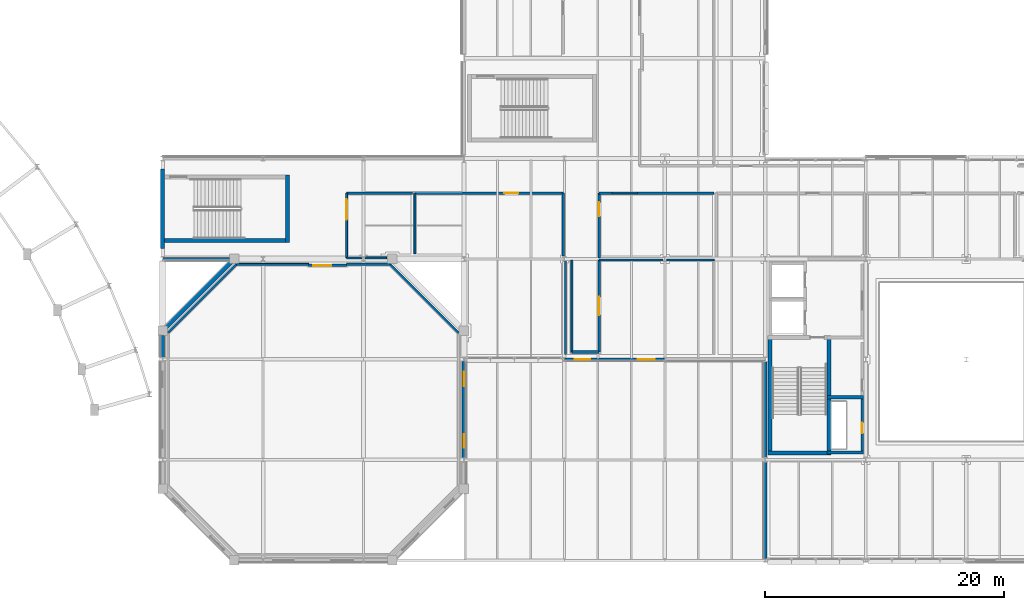
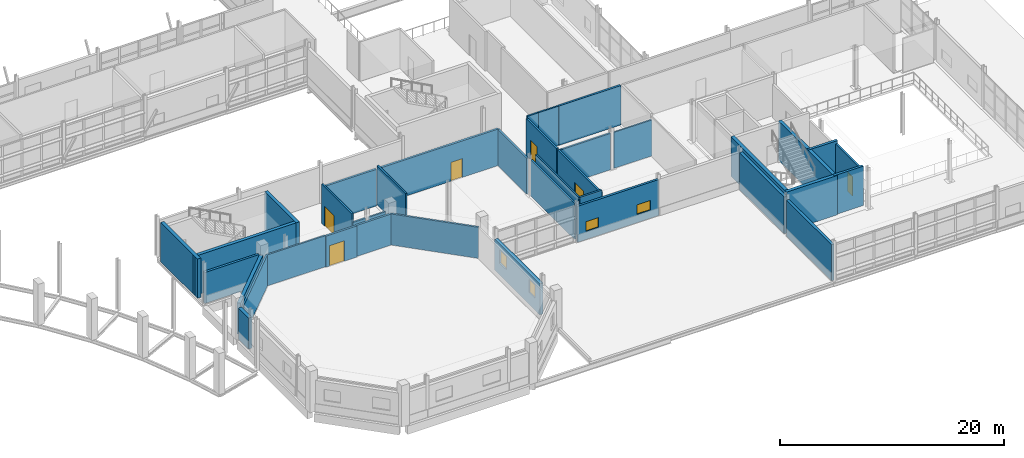
# One storey, part 94 of 129: 38 walls, 6 doors, 4 windows, 10 openings.
"""IFC4 building model written with IfcOpenShell, lengths in metres."""

from ifc_helpers import new_model, si_unit, direction, frame, frame_2d, origin, place, context, subcontext, project, spatial, rectangle, extrude, material, layer, layer_set, type_object, element, fill, save


model = new_model("IFC4")

# Units and contexts
model_context = context("Model", 3, precision=1e-05, world=origin(), true_north=direction((0.0, 1.0)))
body_context = subcontext(model_context, "Body", "Model", "MODEL_VIEW")
ifc_project = project(units=[si_unit("LENGTHUNIT", "METRE"), si_unit("AREAUNIT", "SQUARE_METRE"), si_unit("VOLUMEUNIT", "CUBIC_METRE"), si_unit("PLANEANGLEUNIT", "RADIAN"), si_unit("MASSUNIT", "GRAM", prefix="KILO")], contexts=[model_context])

# Site, building, storey
site_placement = place(None, origin())
site = spatial("IfcSite", under=ifc_project, at=site_placement, CompositionType="ELEMENT")
building_placement = place(site_placement, origin())
building = spatial("IfcBuilding", under=site, at=building_placement, Name="Mersafa Astral City Hall", CompositionType="ELEMENT")
storey_placement = place(building_placement, frame((0.0, 0.0, 5.39990234375)))
storey = spatial("IfcBuildingStorey", under=building, at=storey_placement, Name="L01", CompositionType="ELEMENT", Elevation=5.39990234375)

# Walls
ifc_material_1 = material(Name="Concrete C40/50", Category="concrete")
ifc_layer_1 = layer(ifc_material_1, 0.340087890625, Name="Concrete C40/50")
ifc_layer_set_1 = layer_set([ifc_layer_1], Name="Concrete C40/50 — ENV-WAL-DRUM-340")
wall_type_1 = type_object("IfcWallType", Name="ENV-WAL-DRUM-340", PredefinedType="SHEAR", material=ifc_layer_set_1)
wall_1_placement = place(storey_placement, frame((72.9453125, 24.9453125, 0.0), z_axis=(0.0, 0.0, 1.0), x_axis=(-0.707106781187, -0.707106781187, 0.0)))
element("IfcWall", 1, at=wall_1_placement, inside=storey, type_object=wall_type_1, Name="L01 Limestone-clad exterior wall 72", PredefinedType="SHEAR", context=body_context, shape_type="SweptSolid", body=[
    extrude(rectangle(XDim=7.76513671875, YDim=0.340087890625, at=frame_2d((3.882568359375, 0.0))), origin(), (0.0, 0.0, 1.0), 3.382080078125),
])
wall_2_placement = place(storey_placement, frame((67.199951171875, 18.80810546875, 0.0), z_axis=(0.0, 0.0, 1.0), x_axis=(0.0, -1.0, 0.0)))
element("IfcWall", 2, at=wall_2_placement, inside=storey, type_object=wall_type_1, Name="L01 Limestone-clad exterior wall 73", PredefinedType="SHEAR", context=body_context, shape_type="SweptSolid", body=[
    extrude(rectangle(XDim=1.83203125, YDim=0.340087890625, at=frame_2d((0.916015625, 0.0))), origin(), (0.0, 0.0, 1.0), 3.382080078125),
])

# Wall, openings, windows
wall_3_placement = place(storey_placement, frame((92.39990234375, 8.575927734375, 0.0), z_axis=(0.0, 0.0, 1.0), x_axis=(0.0, 1.0, 0.0)))
wall_3 = element("IfcWall", 3, at=wall_3_placement, inside=storey, type_object=wall_type_1, Name="L01 Limestone-clad exterior wall 82", PredefinedType="SHEAR", context=body_context, shape_type="SweptSolid", body=[
    extrude(rectangle(XDim=8.05810546875, YDim=0.340087890625, at=frame_2d((4.029052734375, 0.0))), origin(), (0.0, 0.0, 1.0), 3.382080078125),
])
opening_1_placement = place(wall_3_placement, frame((0.85009765625, 0.0, 1.300048828125)))
opening_1 = element("IfcOpeningElement", 4, at=opening_1_placement, cuts=wall_3, Name="Opening W-22", PredefinedType="OPENING", context=body_context, shape_type="SweptSolid", body=[
    extrude(rectangle(XDim=1.1201171875, YDim=1.449951171875, at=frame_2d((0.56005859375, 0.72509765625))), frame((0.0, 0.179931640625, 0.0), z_axis=(0.0, -1.0, 0.0), x_axis=(1.0, 0.0, 0.0)), (0.0, 0.0, 1.0), 0.360107421875),
])
opening_2_placement = place(wall_3_placement, frame((5.988037109375, 0.0, 1.300048828125)))
opening_2 = element("IfcOpeningElement", 5, at=opening_2_placement, cuts=wall_3, Name="Opening W-23", PredefinedType="OPENING", context=body_context, shape_type="SweptSolid", body=[
    extrude(rectangle(XDim=1.219970703125, YDim=1.449951171875, at=frame_2d((0.60986328125, 0.72509765625))), frame((0.0, 0.179931640625, 0.0), z_axis=(0.0, -1.0, 0.0), x_axis=(1.0, 0.0, 0.0)), (0.0, 0.0, 1.0), 0.360107421875),
])
ifc_material_2 = material(Name="Solar control low-e double glazing in bronze frame", Category="glass")
window_type_1 = type_object("IfcWindowType", Name="ENV-WIN-W-22", PartitioningType="SINGLE_PANEL", PredefinedType="WINDOW", material=ifc_material_2)
window_1_placement = place(opening_1_placement, origin())
window_1 = element("IfcWindow", 6, at=window_1_placement, inside=storey, type_object=window_type_1, Name="L01 Solar punched window 82-L", OverallHeight=1.449951171875, OverallWidth=1.1201171875, PartitioningType="SINGLE_PANEL", PredefinedType="WINDOW", context=body_context, shape_type="SweptSolid", body=[
    extrude(rectangle(XDim=1.1201171875, YDim=1.449951171875, at=frame_2d((0.56005859375, 0.72509765625))), frame((0.0, 0.030029296875, 0.0), z_axis=(0.0, -1.0, 0.0), x_axis=(1.0, 0.0, 0.0)), (0.0, 0.0, 1.0), 0.06005859375),
])
fill(opening_1, window_1)
window_type_2 = type_object("IfcWindowType", Name="ENV-WIN-W-23", PartitioningType="SINGLE_PANEL", PredefinedType="WINDOW", material=ifc_material_2)
window_2_placement = place(opening_2_placement, origin())
window_2 = element("IfcWindow", 7, at=window_2_placement, inside=storey, type_object=window_type_2, Name="L01 Solar punched window 82-R", OverallHeight=1.449951171875, OverallWidth=1.219970703125, PartitioningType="SINGLE_PANEL", PredefinedType="WINDOW", context=body_context, shape_type="SweptSolid", body=[
    extrude(rectangle(XDim=1.219970703125, YDim=1.449951171875, at=frame_2d((0.60986328125, 0.72509765625))), frame((0.0, 0.030029296875, 0.0), z_axis=(0.0, -1.0, 0.0), x_axis=(1.0, 0.0, 0.0)), (0.0, 0.0, 1.0), 0.06005859375),
])
fill(opening_2, window_2)

# Wall
ifc_material_3 = material(Name="Precast concrete C40/50 insulated terracotta spandrel", Category="masonry")
ifc_layer_2 = layer(ifc_material_3, 0.235107421875, Name="Precast concrete C40/50 insulated terracotta spandrel")
ifc_layer_set_2 = layer_set([ifc_layer_2], Name="Precast concrete C40/50 insulated terracotta spandrel — ENV-WAL-EXT-235")
wall_type_2 = type_object("IfcWallType", Name="ENV-WAL-EXT-235", PredefinedType="STANDARD", material=ifc_layer_set_2)
wall_4_placement = place(storey_placement, frame((67.2080078125, 25.199951171875, 0.0), z_axis=(0.0, 0.0, 1.0), x_axis=(1.0, 0.0, 0.0)))
element("IfcWall", 8, at=wall_4_placement, inside=storey, type_object=wall_type_2, Name="L01 Limestone-clad exterior wall 71", PredefinedType="STANDARD", context=body_context, shape_type="SweptSolid", body=[
    extrude(rectangle(XDim=5.60009765625, YDim=0.235107421875, at=frame_2d((2.800048828125, 0.0))), origin(), (0.0, 0.0, 1.0), 3.382080078125),
])

# Wall, openings, windows
wall_5_placement = place(storey_placement, frame((100.80810546875, 16.800048828125, 0.0), z_axis=(0.0, 0.0, 1.0), x_axis=(1.0, 0.0, 0.0)))
wall_5 = element("IfcWall", 9, at=wall_5_placement, inside=storey, type_object=wall_type_2, Name="L01 Limestone-clad exterior wall 83", PredefinedType="STANDARD", context=body_context, shape_type="SweptSolid", body=[
    extrude(rectangle(XDim=8.3837890625, YDim=0.235107421875, at=frame_2d((4.19189453125, 0.0))), origin(), (0.0, 0.0, 1.0), 3.922119140625),
])
opening_3_placement = place(wall_5_placement, frame((0.85009765625, 0.0, 0.89990234375)))
opening_3 = element("IfcOpeningElement", 10, at=opening_3_placement, cuts=wall_5, Name="Opening W-04", PredefinedType="OPENING", context=body_context, shape_type="SweptSolid", body=[
    extrude(rectangle(XDim=1.320068359375, YDim=1.050048828125, at=frame_2d((0.66015625, 0.52490234375))), frame((0.0, 0.12744140625, 0.0), z_axis=(0.0, -1.0, 0.0), x_axis=(1.0, 0.0, 0.0)), (0.0, 0.0, 1.0), 0.255126953125),
])
opening_4_placement = place(wall_5_placement, frame((6.114013671875, 0.0, 0.89990234375)))
opening_4 = element("IfcOpeningElement", 11, at=opening_4_placement, cuts=wall_5, Name="Opening W-05", PredefinedType="OPENING", context=body_context, shape_type="SweptSolid", body=[
    extrude(rectangle(XDim=1.419921875, YDim=1.050048828125, at=frame_2d((0.7099609375, 0.52490234375))), frame((0.0, 0.12744140625, 0.0), z_axis=(0.0, -1.0, 0.0), x_axis=(1.0, 0.0, 0.0)), (0.0, 0.0, 1.0), 0.255126953125),
])
window_type_3 = type_object("IfcWindowType", Name="ENV-WIN-W-04", PartitioningType="SINGLE_PANEL", PredefinedType="WINDOW", material=ifc_material_2)
window_3_placement = place(opening_3_placement, origin())
window_3 = element("IfcWindow", 12, at=window_3_placement, inside=storey, type_object=window_type_3, Name="L01 Solar punched window 83-L", OverallHeight=1.050048828125, OverallWidth=1.320068359375, PartitioningType="SINGLE_PANEL", PredefinedType="WINDOW", context=body_context, shape_type="SweptSolid", body=[
    extrude(rectangle(XDim=1.320068359375, YDim=1.050048828125, at=frame_2d((0.66015625, 0.52490234375))), frame((0.0, 0.030029296875, 0.0), z_axis=(0.0, -1.0, 0.0), x_axis=(1.0, 0.0, 0.0)), (0.0, 0.0, 1.0), 0.06005859375),
])
fill(opening_3, window_3)
window_type_4 = type_object("IfcWindowType", Name="ENV-WIN-W-05", PartitioningType="SINGLE_PANEL", PredefinedType="WINDOW", material=ifc_material_2)
window_4_placement = place(opening_4_placement, origin())
window_4 = element("IfcWindow", 13, at=window_4_placement, inside=storey, type_object=window_type_4, Name="L01 Solar punched window 83-R", OverallHeight=1.050048828125, OverallWidth=1.419921875, PartitioningType="SINGLE_PANEL", PredefinedType="WINDOW", context=body_context, shape_type="SweptSolid", body=[
    extrude(rectangle(XDim=1.419921875, YDim=1.050048828125, at=frame_2d((0.7099609375, 0.52490234375))), frame((0.0, 0.030029296875, 0.0), z_axis=(0.0, -1.0, 0.0), x_axis=(1.0, 0.0, 0.0)), (0.0, 0.0, 1.0), 0.06005859375),
])
fill(opening_4, window_4)

# Walls
ifc_material_4 = material(Name="Precast concrete C40/50 insulated limestone wall", Category="masonry")
ifc_layer_3 = layer(ifc_material_4, 0.280029296875, Name="Precast concrete C40/50 insulated limestone wall")
ifc_layer_set_3 = layer_set([ifc_layer_3], Name="Precast concrete C40/50 insulated limestone wall — ENV-WAL-EXT-280")
wall_type_3 = type_object("IfcWallType", Name="ENV-WAL-EXT-280", PredefinedType="STANDARD", material=ifc_layer_set_3)
wall_6_placement = place(storey_placement, frame((117.60009765625, 8.2041015625, 0.0), z_axis=(0.0, 0.0, 1.0), x_axis=(0.0, -1.0, 0.0)))
element("IfcWall", 14, at=wall_6_placement, inside=storey, type_object=wall_type_3, Name="L01 Limestone-clad exterior wall 86", PredefinedType="STANDARD", context=body_context, shape_type="SweptSolid", body=[
    extrude(rectangle(XDim=8.05810546875, YDim=0.280029296875, at=frame_2d((4.029052734375, 0.0))), origin(), (0.0, 0.0, 1.0), 3.922119140625),
])
ifc_layer_4 = layer(ifc_material_4, 0.294921875, Name="Precast concrete C40/50 insulated limestone wall")
ifc_layer_set_4 = layer_set([ifc_layer_4], Name="Precast concrete C40/50 insulated limestone wall — ENV-WAL-EXT-295")
wall_type_4 = type_object("IfcWallType", Name="ENV-WAL-EXT-295", PredefinedType="STANDARD", material=ifc_layer_set_4)
wall_7_placement = place(storey_placement, frame((117.60009765625, 16.60400390625, 0.0), z_axis=(0.0, 0.0, 1.0), x_axis=(0.0, -1.0, 0.0)))
element("IfcWall", 15, at=wall_7_placement, inside=storey, type_object=wall_type_4, Name="L01 Limestone-clad exterior wall 85", PredefinedType="STANDARD", context=body_context, shape_type="SweptSolid", body=[
    extrude(rectangle(XDim=8.008056640625, YDim=0.294921875, at=frame_2d((4.00390625, 0.0))), origin(), (0.0, 0.0, 1.0), 4.01220703125),
])
ifc_layer_5 = layer(ifc_material_1, 0.260009765625, Name="Concrete C40/50")
ifc_layer_set_5 = layer_set([ifc_layer_5], Name="Concrete C40/50 — INT-WAL-CORE-260")
wall_type_5 = type_object("IfcWallType", Name="INT-WAL-CORE-260", PredefinedType="SHEAR", material=ifc_layer_set_5)
for number, where, z_axis, x_axis, name in (
    (16, (122.764892578125, 9.02001953125, 0.0), (0.0, 0.0, 1.0), (1.0, 0.0, 0.0), "L01 Core K5 riser south wall"),
    (17, (122.764892578125, 13.635009765625, 0.0), (0.0, 0.0, 1.0), (1.0, 0.0, 0.0), "L01 Core K5 riser-restroom divider wall"),
):
    element("IfcWall", number, at=place(storey_placement, frame(where, z_axis=z_axis, x_axis=x_axis)), inside=storey, type_object=wall_type_5, Name=name, PredefinedType="SHEAR", context=body_context, shape_type="SweptSolid", body=[
        extrude(rectangle(XDim=3.03515625, YDim=0.260009765625, at=frame_2d((1.517578125, 0.0))), origin(), (0.0, 0.0, 1.0), 4.2900390625),
    ])
ifc_layer_6 = layer(ifc_material_1, 0.340087890625, Name="Concrete C40/50")
ifc_layer_set_6 = layer_set([ifc_layer_6], Name="Concrete C40/50 — INT-WAL-CORE-340")
wall_type_6 = type_object("IfcWallType", Name="INT-WAL-CORE-340", PredefinedType="SHEAR", material=ifc_layer_set_6)
for number, where, z_axis, x_axis, name in (
    (18, (118.0048828125, 8.804931640625, 0.0), (0.0, 0.0, 1.0), (0.0, 1.0, 0.0), "L01 Core K5 stair west shear wall"),
    (19, (122.9150390625, 8.804931640625, 0.0), (0.0, 0.0, 1.0), (0.0, 1.0, 0.0), "L01 Core K5 stair east shear wall"),
):
    element("IfcWall", number, at=place(storey_placement, frame(where, z_axis=z_axis, x_axis=x_axis)), inside=storey, type_object=wall_type_6, Name=name, PredefinedType="SHEAR", context=body_context, shape_type="SweptSolid", body=[
        extrude(rectangle(XDim=9.989990234375, YDim=0.340087890625, at=frame_2d((4.9951171875, 0.0))), origin(), (0.0, 0.0, 1.0), 4.2900390625),
    ])
wall_8_placement = place(storey_placement, frame((117.8349609375, 8.97509765625, 0.0), z_axis=(0.0, 0.0, 1.0), x_axis=(1.0, 0.0, 0.0)))
element("IfcWall", 20, at=wall_8_placement, inside=storey, type_object=wall_type_6, Name="L01 Core K5 stair south shear wall", PredefinedType="SHEAR", context=body_context, shape_type="SweptSolid", body=[
    extrude(rectangle(XDim=5.25, YDim=0.340087890625, at=frame_2d((2.625, 0.0))), origin(), (0.0, 0.0, 1.0), 4.2900390625),
])
wall_9_placement = place(storey_placement, frame((67.034912109375, 26.7451171875, 0.0), z_axis=(0.0, 0.0, 1.0), x_axis=(1.0, 0.0, 0.0)))
element("IfcWall", 21, at=wall_9_placement, inside=storey, type_object=wall_type_6, Name="L01 Assembly stair K7 south wall", PredefinedType="SHEAR", context=body_context, shape_type="SweptSolid", body=[
    extrude(rectangle(XDim=10.7900390625, YDim=0.340087890625, at=frame_2d((5.39501953125, 0.0))), origin(), (0.0, 0.0, 1.0), 4.2900390625),
])
wall_10_placement = place(storey_placement, frame((67.205078125, 26.094970703125, 0.0), z_axis=(0.0, 0.0, 1.0), x_axis=(0.0, 1.0, 0.0)))
element("IfcWall", 22, at=wall_10_placement, inside=storey, type_object=wall_type_6, Name="L01 Assembly stair K7 west wall", PredefinedType="SHEAR", context=body_context, shape_type="SweptSolid", body=[
    extrude(rectangle(XDim=6.610107421875, YDim=0.340087890625, at=frame_2d((3.30517578125, 0.0))), origin(), (0.0, 0.0, 1.0), 4.2900390625),
])
wall_11_placement = place(storey_placement, frame((77.655029296875, 26.574951171875, 0.0), z_axis=(0.0, 0.0, 1.0), x_axis=(0.0, 1.0, 0.0)))
element("IfcWall", 23, at=wall_11_placement, inside=storey, type_object=wall_type_6, Name="L01 Assembly stair K7 east wall", PredefinedType="SHEAR", context=body_context, shape_type="SweptSolid", body=[
    extrude(rectangle(XDim=5.650146484375, YDim=0.340087890625, at=frame_2d((2.8251953125, 0.0))), origin(), (0.0, 0.0, 1.0), 4.2900390625),
])
ifc_material_5 = material(Name="Acoustic steel-stud gypsum partition", Category="steel")
ifc_layer_7 = layer(ifc_material_5, 0.14990234375, Name="Acoustic steel-stud gypsum partition")
ifc_layer_set_7 = layer_set([ifc_layer_7], Name="Acoustic steel-stud gypsum partition — INT-WAL-PART-EI30-150")
wall_type_7 = type_object("IfcWallType", Name="INT-WAL-PART-EI30-150", PredefinedType="STANDARD", material=ifc_layer_set_7)
wall_12_placement = place(storey_placement, frame((109.3740234375, 25.110107421875, -0.00390625), z_axis=(0.0, 0.0, 1.0), x_axis=(1.0, 0.0, 0.0)))
element("IfcWall", 24, at=wall_12_placement, inside=storey, type_object=wall_type_7, Name="L01 Interior partition wall 327", PredefinedType="STANDARD", context=body_context, shape_type="SweptSolid", body=[
    extrude(rectangle(XDim=3.93603515625, YDim=0.14990234375, at=frame_2d((1.968017578125, 0.0))), origin(), (0.0, 0.0, 1.0), 3.926025390625),
])
wall_13_placement = place(storey_placement, frame((85.9423828125, 25.2900390625, -0.00390625), z_axis=(0.0, 0.0, 1.0), x_axis=(-1.0, 0.0, 0.0)))
element("IfcWall", 25, at=wall_13_placement, inside=storey, type_object=wall_type_7, Name="L01 Interior partition wall 381", PredefinedType="STANDARD", context=body_context, shape_type="SweptSolid", body=[
    extrude(rectangle(XDim=1.802978515625, YDim=0.14990234375, at=frame_2d((0.9013671875, 0.0))), origin(), (0.0, 0.0, 1.0), 3.385986328125),
])
ifc_material_6 = material(Name="Fire-rated gypsum stud partition", Category="gypsum")
ifc_layer_8 = layer(ifc_material_6, 0.1650390625, Name="Fire-rated gypsum stud partition")
ifc_layer_set_8 = layer_set([ifc_layer_8], Name="Fire-rated gypsum stud partition — INT-WAL-PART-EI60-165")
wall_type_8 = type_object("IfcWallType", Name="INT-WAL-PART-EI60-165", PredefinedType="STANDARD", material=ifc_layer_set_8)
wall_14_placement = place(storey_placement, frame((73.386474609375, 24.75, -0.00390625), z_axis=(0.0, 0.0, 1.0), x_axis=(1.0, 0.0, 0.0)))
element("IfcWall", 26, at=wall_14_placement, inside=storey, type_object=wall_type_8, Name="L01 Interior partition wall 271", PredefinedType="STANDARD", context=body_context, shape_type="SweptSolid", body=[
    extrude(rectangle(XDim=6.033447265625, YDim=0.1650390625, at=frame_2d((3.0166015625, 0.0))), origin(), (0.0, 0.0, 1.0), 3.385986328125),
])
wall_15_placement = place(storey_placement, frame((101.419921875, 25.110107421875, -0.00390625), z_axis=(0.0, 0.0, 1.0), x_axis=(0.0, -1.0, 0.0)))
element("IfcWall", 27, at=wall_15_placement, inside=storey, type_object=wall_type_8, Name="L01 Interior partition wall 323", PredefinedType="STANDARD", context=body_context, shape_type="SweptSolid", body=[
    extrude(rectangle(XDim=7.690185546875, YDim=0.1650390625, at=frame_2d((3.84521484375, 0.0))), origin(), (0.0, 0.0, 1.0), 4.2939453125),
])
wall_16_placement = place(storey_placement, frame((88.2900390625, 25.6201171875, -0.00390625), z_axis=(0.0, 0.0, 1.0), x_axis=(0.0, 1.0, 0.0)))
element("IfcWall", 28, at=wall_16_placement, inside=storey, type_object=wall_type_8, Name="L01 Interior partition wall 339", PredefinedType="STANDARD", context=body_context, shape_type="SweptSolid", body=[
    extrude(rectangle(XDim=5.079833984375, YDim=0.1650390625, at=frame_2d((2.5400390625, 0.0))), origin(), (0.0, 0.0, 1.0), 4.2939453125),
])
wall_17_placement = place(storey_placement, frame((104.800048828125, 30.699951171875, -0.00390625), z_axis=(0.0, 0.0, 1.0), x_axis=(1.0, 0.0, 0.0)))
element("IfcWall", 29, at=wall_17_placement, inside=storey, type_object=wall_type_8, Name="L01 Interior partition wall 367", PredefinedType="STANDARD", context=body_context, shape_type="SweptSolid", body=[
    extrude(rectangle(XDim=2.099853515625, YDim=0.1650390625, at=frame_2d((1.0498046875, 0.0))), origin(), (0.0, 0.0, 1.0), 4.2939453125),
])

# Wall, opening, door
wall_18_placement = place(storey_placement, frame((82.580078125, 25.2900390625, -0.00390625), z_axis=(0.0, 0.0, 1.0), x_axis=(0.0, 1.0, 0.0)))
wall_18 = element("IfcWall", 30, at=wall_18_placement, inside=storey, type_object=wall_type_8, Name="L01 Interior partition wall 383", PredefinedType="STANDARD", context=body_context, shape_type="SweptSolid", body=[
    extrude(rectangle(XDim=5.409912109375, YDim=0.1650390625, at=frame_2d((2.705078125, 0.0))), origin(), (0.0, 0.0, 1.0), 4.2939453125),
])
opening_5_placement = place(wall_18_placement, frame((3.197509765625, 0.0, 0.0)))
opening_5 = element("IfcOpeningElement", 31, at=opening_5_placement, cuts=wall_18, Name="Opening D-18", PredefinedType="OPENING", context=body_context, shape_type="SweptSolid", body=[
    extrude(rectangle(XDim=1.719970703125, YDim=2.139892578125, at=frame_2d((0.85986328125, 1.06982421875))), frame((0.0, 0.092529296875, 0.0), z_axis=(0.0, -1.0, 0.0), x_axis=(1.0, 0.0, 0.0)), (0.0, 0.0, 1.0), 0.18505859375),
])
ifc_material_7 = material(Name="Cedar veneered acoustic fire-rated timber door", Category="wood")
door_type_1 = type_object("IfcDoorType", Name="INT-DR-RM-D-18", OperationType="NOTDEFINED", PredefinedType="DOOR", material=ifc_material_7)
door_1_placement = place(opening_5_placement, origin())
door_1 = element("IfcDoor", 32, at=door_1_placement, inside=storey, type_object=door_type_1, Name="L01 Citizens Service Centre L01-29 Entrance Door", OperationType="SINGLE_SWING_RIGHT", OverallHeight=2.139892578125, OverallWidth=1.719970703125, PredefinedType="DOOR", context=body_context, shape_type="SweptSolid", body=[
    extrude(rectangle(XDim=1.719970703125, YDim=2.139892578125, at=frame_2d((0.85986328125, 1.06982421875))), frame((0.0, 0.02490234375, 0.0), z_axis=(0.0, -1.0, 0.0), x_axis=(1.0, 0.0, 0.0)), (0.0, 0.0, 1.0), 0.050048828125),
])
fill(opening_5, door_1)

# Walls
ifc_material_8 = material(Name="Acoustic twin-stud gypsum partition", Category="gypsum")
ifc_layer_9 = layer(ifc_material_8, 0.179931640625, Name="Acoustic twin-stud gypsum partition")
ifc_layer_set_9 = layer_set([ifc_layer_9], Name="Acoustic twin-stud gypsum partition — INT-WAL-PART-EI60-180")
wall_type_9 = type_object("IfcWallType", Name="INT-WAL-PART-EI60-180", PredefinedType="STANDARD", material=ifc_layer_set_9)
wall_19_placement = place(storey_placement, frame((67.64990234375, 19.013671875, -0.00390625), z_axis=(0.0, 0.0, 1.0), x_axis=(0.707121828093, 0.70709173396, 0.0)))
element("IfcWall", 33, at=wall_19_placement, inside=storey, type_object=wall_type_9, Name="L01 Interior partition wall 270", PredefinedType="STANDARD", context=body_context, shape_type="SweptSolid", body=[
    extrude(rectangle(XDim=8.112548828125, YDim=0.179931640625, at=frame_2d((4.05615234375, 0.0))), origin(), (0.0, 0.0, 1.0), 3.385986328125),
])
wall_20_placement = place(storey_placement, frame((86.213623046875, 24.75, -0.00390625), z_axis=(0.0, 0.0, 1.0), x_axis=(0.707106781187, -0.707106781187, 0.0)))
element("IfcWall", 34, at=wall_20_placement, inside=storey, type_object=wall_type_9, Name="L01 Interior partition wall 274", PredefinedType="STANDARD", context=body_context, shape_type="SweptSolid", body=[
    extrude(rectangle(XDim=8.1123046875, YDim=0.179931640625, at=frame_2d((4.05615234375, 0.0))), origin(), (0.0, 0.0, 1.0), 3.385986328125),
])
wall_21_placement = place(storey_placement, frame((100.889892578125, 17.219970703125, -0.00390625), z_axis=(0.0, 0.0, 1.0), x_axis=(0.0, 1.0, 0.0)))
element("IfcWall", 35, at=wall_21_placement, inside=storey, type_object=wall_type_9, Name="L01 Interior partition wall 322", PredefinedType="STANDARD", context=body_context, shape_type="SweptSolid", body=[
    extrude(rectangle(XDim=7.840576171875, YDim=0.179931640625, at=frame_2d((3.92041015625, 0.0))), origin(), (0.0, 0.0, 1.0), 3.926025390625),
])
wall_22_placement = place(storey_placement, frame((103.699951171875, 25.110107421875, -0.00390625), z_axis=(0.0, 0.0, 1.0), x_axis=(1.0, 0.0, 0.0)))
element("IfcWall", 36, at=wall_22_placement, inside=storey, type_object=wall_type_9, Name="L01 Interior partition wall 326", PredefinedType="STANDARD", context=body_context, shape_type="SweptSolid", body=[
    extrude(rectangle(XDim=5.325927734375, YDim=0.179931640625, at=frame_2d((2.6630859375, 0.0))), origin(), (0.0, 0.0, 1.0), 3.9560546875),
])
wall_23_placement = place(storey_placement, frame((103.699951171875, 30.699951171875, -0.00390625), z_axis=(0.0, 0.0, 1.0), x_axis=(1.0, 0.0, 0.0)))
element("IfcWall", 37, at=wall_23_placement, inside=storey, type_object=wall_type_9, Name="L01 Interior partition wall 366", PredefinedType="STANDARD", context=body_context, shape_type="SweptSolid", body=[
    extrude(rectangle(XDim=1.10009765625, YDim=0.179931640625, at=frame_2d((0.550048828125, 0.0))), origin(), (0.0, 0.0, 1.0), 4.2939453125),
])
wall_24_placement = place(storey_placement, frame((83.860595703125, 25.2900390625, -0.00390625), z_axis=(0.0, 0.0, 1.0), x_axis=(-1.0, 0.0, 0.0)))
element("IfcWall", 38, at=wall_24_placement, inside=storey, type_object=wall_type_9, Name="L01 Interior partition wall 382", PredefinedType="STANDARD", context=body_context, shape_type="SweptSolid", body=[
    extrude(rectangle(XDim=1.280517578125, YDim=0.179931640625, at=frame_2d((0.64013671875, 0.0))), origin(), (0.0, 0.0, 1.0), 3.385986328125),
])
ifc_layer_10 = layer(ifc_material_8, 0.195068359375, Name="Acoustic twin-stud gypsum partition")
ifc_layer_set_10 = layer_set([ifc_layer_10], Name="Acoustic twin-stud gypsum partition — INT-WAL-PART-EI60-195")
wall_type_10 = type_object("IfcWallType", Name="INT-WAL-PART-EI60-195", PredefinedType="STANDARD", material=ifc_layer_set_10)
wall_25_placement = place(storey_placement, frame((82.580078125, 24.75, -0.00390625), z_axis=(0.0, 0.0, 1.0), x_axis=(1.0, 0.0, 0.0)))
element("IfcWall", 39, at=wall_25_placement, inside=storey, type_object=wall_type_10, Name="L01 Interior partition wall 273", PredefinedType="STANDARD", context=body_context, shape_type="SweptSolid", body=[
    extrude(rectangle(XDim=3.633544921875, YDim=0.195068359375, at=frame_2d((1.81689453125, 0.0))), origin(), (0.0, 0.0, 1.0), 3.385986328125),
])

# Wall, opening, door
wall_26_placement = place(storey_placement, frame((103.699951171875, 17.419921875, -0.00390625), z_axis=(0.0, 0.0, 1.0), x_axis=(0.0, 1.0, 0.0)))
wall_26 = element("IfcWall", 40, at=wall_26_placement, inside=storey, type_object=wall_type_10, Name="L01 Interior partition wall 325", PredefinedType="STANDARD", context=body_context, shape_type="SweptSolid", body=[
    extrude(rectangle(XDim=7.690185546875, YDim=0.195068359375, at=frame_2d((3.84521484375, 0.0))), origin(), (0.0, 0.0, 1.0), 4.01611328125),
])
opening_6_placement = place(wall_26_placement, frame((3.074951171875, 0.0, 0.0)))
opening_6 = element("IfcOpeningElement", 41, at=opening_6_placement, cuts=wall_26, Name="Opening D-35", PredefinedType="OPENING", context=body_context, shape_type="SweptSolid", body=[
    extrude(rectangle(XDim=1.5400390625, YDim=2.300048828125, at=frame_2d((0.77001953125, 1.14990234375))), frame((0.0, 0.107421875, 0.0), z_axis=(0.0, -1.0, 0.0), x_axis=(1.0, 0.0, 0.0)), (0.0, 0.0, 1.0), 0.215087890625),
])
door_type_2 = type_object("IfcDoorType", Name="INT-DR-RM-D-35", OperationType="NOTDEFINED", PredefinedType="DOOR", material=ifc_material_7)
door_2_placement = place(opening_6_placement, origin())
door_2 = element("IfcDoor", 42, at=door_2_placement, inside=storey, type_object=door_type_2, Name="L01 Public Restroom L01-10 Entrance Door", OperationType="SINGLE_SWING_LEFT", OverallHeight=2.300048828125, OverallWidth=1.5400390625, PredefinedType="DOOR", context=body_context, shape_type="SweptSolid", body=[
    extrude(rectangle(XDim=1.5400390625, YDim=2.300048828125, at=frame_2d((0.77001953125, 1.14990234375))), frame((0.0, 0.02490234375, 0.0), z_axis=(0.0, -1.0, 0.0), x_axis=(1.0, 0.0, 0.0)), (0.0, 0.0, 1.0), 0.050048828125),
])
fill(opening_6, door_2)

# Wall
wall_27_placement = place(storey_placement, frame((100.7099609375, 30.699951171875, -0.00390625), z_axis=(0.0, 0.0, 1.0), x_axis=(0.0, -1.0, 0.0)))
element("IfcWall", 43, at=wall_27_placement, inside=storey, type_object=wall_type_10, Name="L01 Interior partition wall 341", PredefinedType="STANDARD", context=body_context, shape_type="SweptSolid", body=[
    extrude(rectangle(XDim=5.239990234375, YDim=0.195068359375, at=frame_2d((2.6201171875, 0.0))), origin(), (0.0, 0.0, 1.0), 3.93603515625),
])

# Wall, opening, door
wall_28_placement = place(storey_placement, frame((103.699951171875, 25.2900390625, -0.00390625), z_axis=(0.0, 0.0, 1.0), x_axis=(0.0, 1.0, 0.0)))
wall_28 = element("IfcWall", 44, at=wall_28_placement, inside=storey, type_object=wall_type_10, Name="L01 Interior partition wall 369", PredefinedType="STANDARD", context=body_context, shape_type="SweptSolid", body=[
    extrude(rectangle(XDim=5.409912109375, YDim=0.195068359375, at=frame_2d((2.705078125, 0.0))), origin(), (0.0, 0.0, 1.0), 4.0458984375),
])
opening_7_placement = place(wall_28_placement, frame((3.467529296875, 0.0, 0.0)))
opening_7 = element("IfcOpeningElement", 45, at=opening_7_placement, cuts=wall_28, Name="Opening D-14", PredefinedType="OPENING", context=body_context, shape_type="SweptSolid", body=[
    extrude(rectangle(XDim=1.179931640625, YDim=2.139892578125, at=frame_2d((0.58984375, 1.06982421875))), frame((0.0, 0.107421875, 0.0), z_axis=(0.0, -1.0, 0.0), x_axis=(1.0, 0.0, 0.0)), (0.0, 0.0, 1.0), 0.215087890625),
])
door_type_3 = type_object("IfcDoorType", Name="INT-DR-RM-D-14", OperationType="NOTDEFINED", PredefinedType="DOOR", material=ifc_material_7)
door_3_placement = place(opening_7_placement, origin())
door_3 = element("IfcDoor", 46, at=door_3_placement, inside=storey, type_object=door_type_3, Name="L01 Civic Translation & Hansard Studio L01-25 Entrance Door", OperationType="SINGLE_SWING_RIGHT", OverallHeight=2.139892578125, OverallWidth=1.179931640625, PredefinedType="DOOR", context=body_context, shape_type="SweptSolid", body=[
    extrude(rectangle(XDim=1.179931640625, YDim=2.139892578125, at=frame_2d((0.58984375, 1.06982421875))), frame((0.0, 0.02490234375, 0.0), z_axis=(0.0, -1.0, 0.0), x_axis=(1.0, 0.0, 0.0)), (0.0, 0.0, 1.0), 0.050048828125),
])
fill(opening_7, door_3)

ifc_material_9 = material(Name="Autoclaved aerated concrete blockwork plastered", Category="masonry")
ifc_layer_11 = layer(ifc_material_9, 0.2099609375, Name="Autoclaved aerated concrete blockwork plastered")
ifc_layer_set_11 = layer_set([ifc_layer_11], Name="Autoclaved aerated concrete blockwork plastered — INT-WAL-PART-EI60-210")
wall_type_11 = type_object("IfcWallType", Name="INT-WAL-PART-EI60-210", PredefinedType="STANDARD", material=ifc_layer_set_11)
wall_29_placement = place(storey_placement, frame((125.699951171875, 9.02001953125, 0.0), z_axis=(0.0, 0.0, 1.0), x_axis=(0.0, 1.0, 0.0)))
wall_29 = element("IfcWall", 47, at=wall_29_placement, inside=storey, type_object=wall_type_11, Name="L01 Core K5 riser corridor partition", PredefinedType="STANDARD", context=body_context, shape_type="SweptSolid", body=[
    extrude(rectangle(XDim=4.590087890625, YDim=0.2099609375, at=frame_2d((2.294921875, 0.0))), origin(), (0.0, 0.0, 1.0), 3.97216796875),
])
opening_8_placement = place(wall_29_placement, frame((1.60009765625, 0.0, 0.0)))
opening_8 = element("IfcOpeningElement", 48, at=opening_8_placement, cuts=wall_29, Name="Opening CD-5", PredefinedType="OPENING", context=body_context, shape_type="SweptSolid", body=[
    extrude(rectangle(XDim=0.89990234375, YDim=2.10009765625, at=frame_2d((0.449951171875, 1.050048828125))), frame((0.0, 0.114990234375, 0.0), z_axis=(0.0, -1.0, 0.0), x_axis=(1.0, 0.0, 0.0)), (0.0, 0.0, 1.0), 0.22998046875),
])
ifc_material_10 = material(Name="Fire-rated steel riser access door", Category="steel")
door_type_4 = type_object("IfcDoorType", Name="INT-DR-RISER-FD60-900", OperationType="NOTDEFINED", PredefinedType="DOOR", material=ifc_material_10)
door_4_placement = place(opening_8_placement, origin())
door_4 = element("IfcDoor", 49, at=door_4_placement, inside=storey, type_object=door_type_4, Name="L01 K5 MEP Riser Access Door", OperationType="SINGLE_SWING_RIGHT", OverallHeight=2.10009765625, OverallWidth=0.89990234375, PredefinedType="DOOR", context=body_context, shape_type="SweptSolid", body=[
    extrude(rectangle(XDim=0.89990234375, YDim=2.10009765625, at=frame_2d((0.449951171875, 1.050048828125))), frame((0.0, 0.02490234375, 0.0), z_axis=(0.0, -1.0, 0.0), x_axis=(1.0, 0.0, 0.0)), (0.0, 0.0, 1.0), 0.050048828125),
])
fill(opening_8, door_4)

wall_30_placement = place(storey_placement, frame((79.419921875, 24.669921875, -0.00390625), z_axis=(0.0, 0.0, 1.0), x_axis=(1.0, 0.0, 0.0)))
wall_30 = element("IfcWall", 50, at=wall_30_placement, inside=storey, type_object=wall_type_11, Name="L01 Interior partition wall 272", PredefinedType="STANDARD", context=body_context, shape_type="SweptSolid", body=[
    extrude(rectangle(XDim=3.16015625, YDim=0.2099609375, at=frame_2d((1.580078125, 0.0))), origin(), (0.0, 0.0, 1.0), 3.385986328125),
])
opening_9_placement = place(wall_30_placement, frame((0.360107421875, 0.0, 0.0)))
opening_9 = element("IfcOpeningElement", 51, at=opening_9_placement, cuts=wall_30, Name="Opening D-26", PredefinedType="OPENING", context=body_context, shape_type="SweptSolid", body=[
    extrude(rectangle(XDim=1.5400390625, YDim=2.219970703125, at=frame_2d((0.77001953125, 1.10986328125))), frame((0.0, 0.114990234375, 0.0), z_axis=(0.0, -1.0, 0.0), x_axis=(1.0, 0.0, 0.0)), (0.0, 0.0, 1.0), 0.22998046875),
])
door_type_5 = type_object("IfcDoorType", Name="INT-DR-RM-D-26", OperationType="NOTDEFINED", PredefinedType="DOOR", material=ifc_material_7)
door_5_placement = place(opening_9_placement, origin())
door_5 = element("IfcDoor", 52, at=door_5_placement, inside=storey, type_object=door_type_5, Name="L01 Council Chamber Entrance Door", OperationType="SINGLE_SWING_RIGHT", OverallHeight=2.219970703125, OverallWidth=1.5400390625, PredefinedType="DOOR", context=body_context, shape_type="SweptSolid", body=[
    extrude(rectangle(XDim=1.5400390625, YDim=2.219970703125, at=frame_2d((0.77001953125, 1.10986328125))), frame((0.0, 0.02490234375, 0.0), z_axis=(0.0, -1.0, 0.0), x_axis=(1.0, 0.0, 0.0)), (0.0, 0.0, 1.0), 0.050048828125),
])
fill(opening_9, door_5)

# Wall
wall_31_placement = place(storey_placement, frame((101.419921875, 17.419921875, -0.00390625), z_axis=(0.0, 0.0, 1.0), x_axis=(1.0, 0.0, 0.0)))
element("IfcWall", 53, at=wall_31_placement, inside=storey, type_object=wall_type_11, Name="L01 Interior partition wall 324", PredefinedType="STANDARD", context=body_context, shape_type="SweptSolid", body=[
    extrude(rectangle(XDim=2.280029296875, YDim=0.2099609375, at=frame_2d((1.14013671875, 0.0))), origin(), (0.0, 0.0, 1.0), 4.2939453125),
])

# Wall, opening, door
wall_32_placement = place(storey_placement, frame((88.2900390625, 30.699951171875, -0.00390625), z_axis=(0.0, 0.0, 1.0), x_axis=(1.0, 0.0, 0.0)))
wall_32 = element("IfcWall", 54, at=wall_32_placement, inside=storey, type_object=wall_type_11, Name="L01 Interior partition wall 340", PredefinedType="STANDARD", context=body_context, shape_type="SweptSolid", body=[
    extrude(rectangle(XDim=12.419921875, YDim=0.2099609375, at=frame_2d((6.2099609375, 0.0))), origin(), (0.0, 0.0, 1.0), 3.986083984375),
])
opening_10_placement = place(wall_32_placement, frame((7.48291015625, 0.0, 0.0)))
opening_10 = element("IfcOpeningElement", 55, at=opening_10_placement, cuts=wall_32, Name="Opening D-05", PredefinedType="OPENING", context=body_context, shape_type="SweptSolid", body=[
    extrude(rectangle(XDim=1.179931640625, YDim=2.06005859375, at=frame_2d((0.58984375, 1.030029296875))), frame((0.0, 0.114990234375, 0.0), z_axis=(0.0, -1.0, 0.0), x_axis=(1.0, 0.0, 0.0)), (0.0, 0.0, 1.0), 0.22998046875),
])
door_type_6 = type_object("IfcDoorType", Name="INT-DR-RM-D-05", OperationType="NOTDEFINED", PredefinedType="DOOR", material=ifc_material_7)
door_6_placement = place(opening_10_placement, origin())
door_6 = element("IfcDoor", 56, at=door_6_placement, inside=storey, type_object=door_type_6, Name="L01 Civic Translation & Hansard Studio L01-16 Entrance Door", OperationType="SINGLE_SWING_LEFT", OverallHeight=2.06005859375, OverallWidth=1.179931640625, PredefinedType="DOOR", context=body_context, shape_type="SweptSolid", body=[
    extrude(rectangle(XDim=1.179931640625, YDim=2.06005859375, at=frame_2d((0.58984375, 1.030029296875))), frame((0.0, 0.02490234375, 0.0), z_axis=(0.0, -1.0, 0.0), x_axis=(1.0, 0.0, 0.0)), (0.0, 0.0, 1.0), 0.050048828125),
])
fill(opening_10, door_6)

# Walls
wall_33_placement = place(storey_placement, frame((106.89990234375, 30.699951171875, -0.00390625), z_axis=(0.0, 0.0, 1.0), x_axis=(1.0, 0.0, 0.0)))
element("IfcWall", 57, at=wall_33_placement, inside=storey, type_object=wall_type_11, Name="L01 Interior partition wall 368", PredefinedType="STANDARD", context=body_context, shape_type="SweptSolid", body=[
    extrude(rectangle(XDim=6.41015625, YDim=0.2099609375, at=frame_2d((3.205078125, 0.0))), origin(), (0.0, 0.0, 1.0), 4.2939453125),
])
wall_34_placement = place(storey_placement, frame((82.580078125, 30.699951171875, -0.00390625), z_axis=(0.0, 0.0, 1.0), x_axis=(1.0, 0.0, 0.0)))
element("IfcWall", 58, at=wall_34_placement, inside=storey, type_object=wall_type_11, Name="L01 Interior partition wall 384", PredefinedType="STANDARD", context=body_context, shape_type="SweptSolid", body=[
    extrude(rectangle(XDim=5.530029296875, YDim=0.2099609375, at=frame_2d((2.76513671875, 0.0))), origin(), (0.0, 0.0, 1.0), 3.986083984375),
])

save(model, "model.ifc")
